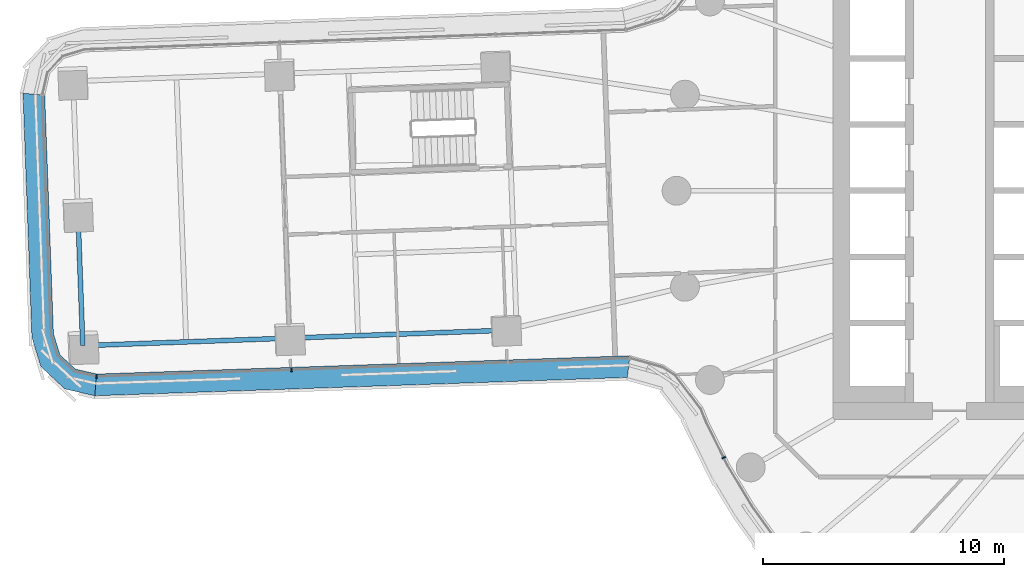
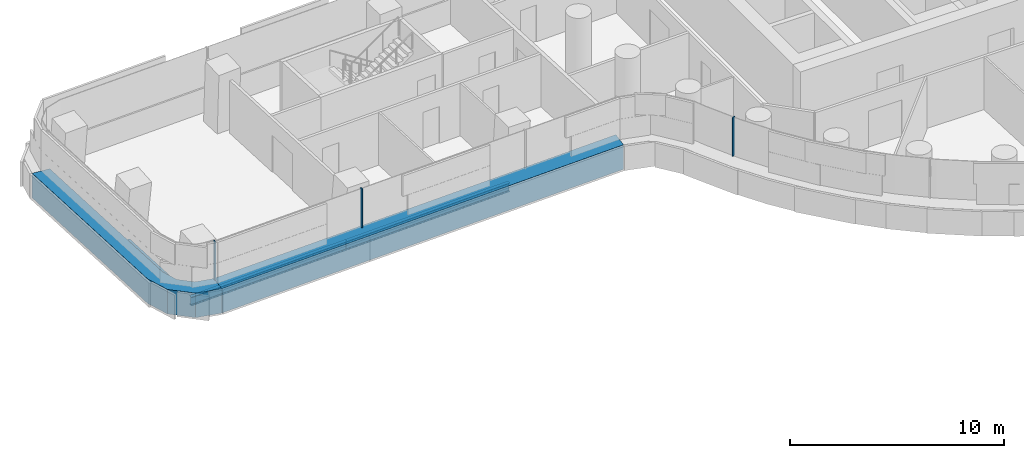
# One storey, part 4 of 31: 5 members, 3 beams, 3 elements without a shape of their own.
"""IFC4 building model written with IfcOpenShell, lengths in metres."""

from ifc_helpers import new_model, si_unit, direction, frame, origin, origin_2d, place, context, subcontext, project, spatial, polyline, rectangle, i_section, outline, extrude, material, layer, layer_set, material_profile, profile_set, type_object, element, aggregate, save


model = new_model("IFC4")

# Units and contexts
model_context = context("Model", 3, precision=1e-05, world=origin(), true_north=direction((0.0, 1.0)))
body_context = subcontext(model_context, "Body", "Model", "MODEL_VIEW")
ifc_project = project(units=[si_unit("LENGTHUNIT", "METRE"), si_unit("AREAUNIT", "SQUARE_METRE"), si_unit("VOLUMEUNIT", "CUBIC_METRE"), si_unit("PLANEANGLEUNIT", "RADIAN"), si_unit("MASSUNIT", "GRAM", prefix="KILO")], contexts=[model_context])

# Site, building, storey
site_placement = place(None, origin())
site = spatial("IfcSite", under=ifc_project, at=site_placement, CompositionType="ELEMENT")
building_placement = place(site_placement, origin())
building = spatial("IfcBuilding", under=site, at=building_placement, Name="Tamarind Cross Interchange Tower", CompositionType="ELEMENT")
storey_placement = place(building_placement, frame((0.0, 0.0, 41.5)))
storey = spatial("IfcBuildingStorey", under=building, at=storey_placement, Name="L08", CompositionType="ELEMENT", Elevation=41.5)

# Beams
ifc_material_1 = material(Name="Steel Q355B", Category="steel")
ifc_material_profile_1 = material_profile(ifc_material_1, i_section(OverallWidth=0.198974609375, OverallDepth=0.49609375, WebThickness=0.009033203125, FlangeThickness=0.013916015625, FilletRadius=0.012939453125, at=origin_2d()), Name="HN 496x199x9x14")
ifc_profile_set_1 = profile_set([ifc_material_profile_1], Name="Steel Q355B")
beam_type_1 = type_object("IfcBeamType", Name="Composite beam HN 496x199x9x14 Q355B", PredefinedType="BEAM", material=ifc_profile_set_1)
beam_1_placement = place(storey_placement, frame((-47.684326171875, -6.440673828125, -0.387939453125), z_axis=(0.999335782267, 0.036441655858, 0.0), x_axis=(-0.036441655858, 0.999335782267, 0.0)))
element("IfcBeam", 1, at=beam_1_placement, inside=storey, type_object=beam_type_1, Name="Beam W-edgeep2", PredefinedType="BEAM", context=body_context, shape_type="SweptSolid", body=[
    extrude(i_section(OverallWidth=0.198974609375, OverallDepth=0.49609375, WebThickness=0.009033203125, FlangeThickness=0.013916015625, FilletRadius=0.012939453125, at=origin_2d()), origin(), (0.0, 0.0, 1.0), 8.60205078125),
])
beam_2_placement = place(storey_placement, frame((-39.087890625, -6.127197265625, -0.387939453125), z_axis=(0.999335156233, 0.036458819457, 0.0), x_axis=(-0.036458819457, 0.999335156233, 0.0)))
element("IfcBeam", 2, at=beam_2_placement, inside=storey, type_object=beam_type_1, Name="Beam W-edgeep3", PredefinedType="BEAM", context=body_context, shape_type="SweptSolid", body=[
    extrude(i_section(OverallWidth=0.198974609375, OverallDepth=0.49609375, WebThickness=0.009033203125, FlangeThickness=0.013916015625, FilletRadius=0.012939453125, at=origin_2d()), origin(), (0.0, 0.0, 1.0), 9.0),
])
ifc_material_profile_2 = material_profile(ifc_material_1, i_section(OverallWidth=0.199951171875, OverallDepth=0.60009765625, WebThickness=0.010986328125, FlangeThickness=0.01708984375, FilletRadius=0.012939453125, at=origin_2d()), Name="HN 600x200x11x17")
ifc_profile_set_2 = profile_set([ifc_material_profile_2], Name="Steel Q355B")
beam_type_2 = type_object("IfcBeamType", Name="Composite beam HN 600x200x11x17 Q355B", PredefinedType="BEAM", material=ifc_profile_set_2)
beam_3_placement = place(storey_placement, frame((-47.885009765625, -0.9443359375, -0.43994140625), z_axis=(0.036487923656, -0.999334093998, 0.0), x_axis=(0.999334093998, 0.036487923656, 0.0)))
element("IfcBeam", 3, at=beam_3_placement, inside=storey, type_object=beam_type_2, Name="Beam W-tip1", PredefinedType="BEAM", context=body_context, shape_type="SweptSolid", body=[
    extrude(i_section(OverallWidth=0.199951171875, OverallDepth=0.60009765625, WebThickness=0.010986328125, FlangeThickness=0.01708984375, FilletRadius=0.012939453125, at=origin_2d()), origin(), (0.0, 0.0, 1.0), 5.5),
])

# Curtain wall, member
ifc_material_2 = material(Name="Aluminium 6063-T6", Category="aluminium")
ifc_layer = layer(ifc_material_2, 0.159912109375)
ifc_layer_set = layer_set([ifc_layer], Name="Aluminium 6063-T6")
curtain_wall_type = type_object("IfcCurtainWallType", Name="Office curtain wall, 9.0 m bays", PredefinedType="NOTDEFINED", material=ifc_layer_set)
curtain_wall_1_placement = place(storey_placement, origin())
curtain_wall_1 = element("IfcCurtainWall", 4, at=curtain_wall_1_placement, inside=storey, type_object=curtain_wall_type, Name="CWS-L08-00", PredefinedType="NOTDEFINED")
ifc_material_3 = material(Name="Aluminium and insulated spandrel panel", Category="aluminium")
member_type_1 = type_object("IfcMemberType", Name="Floor-edge blade transom", PredefinedType="USERDEFINED", material=ifc_material_3)
member_1_placement = place(storey_placement, origin())
member_1 = element("IfcMember", 5, at=member_1_placement, type_object=member_type_1, Name="CWT-L08-00", ObjectType="TRANSOM", PredefinedType="USERDEFINED", context=body_context, shape_type="SweptSolid", body=[
    extrude(outline(polyline([(-49.264892578125, 3.968994140625), (-48.9033203125, -5.9453125), (-48.63427734375, -6.8203125), (-47.99365234375, -7.415771484375), (-47.10107421875, -7.620361328125), (-47.187744140625, -8.52392578125), (-48.429931640625, -8.2392578125), (-49.423583984375, -7.3154296875), (-49.79833984375, -6.0966796875), (-50.168701171875, 4.0546875), (-49.264892578125, 3.968994140625)])), origin(), (0.0, 0.0, 1.0), 1.39990234375),
])
aggregate(curtain_wall_1, [member_1])

# Curtain wall, members
curtain_wall_2_placement = place(storey_placement, origin())
curtain_wall_2 = element("IfcCurtainWall", 6, at=curtain_wall_2_placement, inside=storey, type_object=curtain_wall_type, Name="CWS-L08-01", PredefinedType="NOTDEFINED")
member_2_placement = place(storey_placement, origin())
member_2 = element("IfcMember", 7, at=member_2_placement, type_object=member_type_1, Name="CWT-L08-01", ObjectType="TRANSOM", PredefinedType="USERDEFINED", context=body_context, shape_type="SweptSolid", body=[
    extrude(outline(polyline([(-47.10107421875, -7.620361328125), (-24.9375, -6.85888671875), (-25.045654296875, -7.762939453125), (-47.187744140625, -8.52392578125), (-47.10107421875, -7.620361328125)])), origin(), (0.0, 0.0, 1.0), 1.39990234375),
])
ifc_material_profile_3 = material_profile(ifc_material_2, rectangle(XDim=0.06005859375, YDim=0.159912109375, at=origin_2d()), Name="Mullion CW1")
ifc_profile_set_3 = profile_set([ifc_material_profile_3], Name="Aluminium 6063-T6")
member_type_2 = type_object("IfcMemberType", Name="Mullion CW1", PredefinedType="MULLION", material=ifc_profile_set_3)
member_3_placement = place(storey_placement, frame((-47.11083984375, -7.720703125, 1.39990234375), z_axis=(0.0, 0.0, 1.0), x_axis=(0.995444314759, -0.095344723058, 0.0)))
member_3 = element("IfcMember", 8, at=member_3_placement, type_object=member_type_2, Name="CWM-L08-01-00", PredefinedType="MULLION", context=body_context, shape_type="SweptSolid", body=[
    extrude(rectangle(XDim=0.06005859375, YDim=0.159912109375, at=origin_2d()), origin(), (0.0, 0.0, 1.0), 2.210205078125),
])
member_4_placement = place(storey_placement, frame((-39.01171875, -7.4423828125, 1.39990234375), z_axis=(0.0, 0.0, 1.0), x_axis=(0.999410116016, 0.034342684894, 0.0)))
member_4 = element("IfcMember", 9, at=member_4_placement, type_object=member_type_2, Name="CWM-L08-01-01", PredefinedType="MULLION", context=body_context, shape_type="SweptSolid", body=[
    extrude(rectangle(XDim=0.06005859375, YDim=0.159912109375, at=origin_2d()), origin(), (0.0, 0.0, 1.0), 2.210205078125),
])
aggregate(curtain_wall_2, [member_3, member_4, member_2])

# Curtain wall, member
curtain_wall_3_placement = place(storey_placement, origin())
curtain_wall_3 = element("IfcCurtainWall", 10, at=curtain_wall_3_placement, inside=storey, type_object=curtain_wall_type, Name="CWS-L08-02", PredefinedType="NOTDEFINED")
member_5_placement = place(storey_placement, frame((-21.035888671875, -11.097900390625, 1.39990234375), z_axis=(0.0, 0.0, 1.0), x_axis=(0.443058811505, -0.896492548518, 0.0)))
member_5 = element("IfcMember", 11, at=member_5_placement, type_object=member_type_2, Name="CWM-L08-02-01", PredefinedType="MULLION", context=body_context, shape_type="SweptSolid", body=[
    extrude(rectangle(XDim=0.06005859375, YDim=0.159912109375, at=origin_2d()), origin(), (0.0, 0.0, 1.0), 2.210205078125),
])
aggregate(curtain_wall_3, [member_5])

save(model, "model.ifc")
